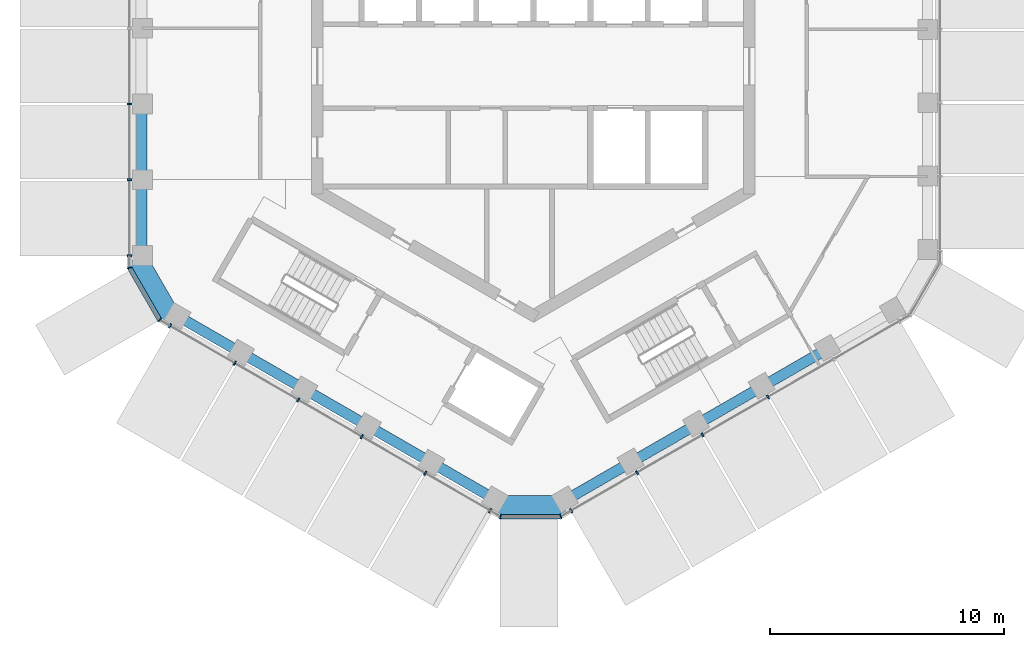
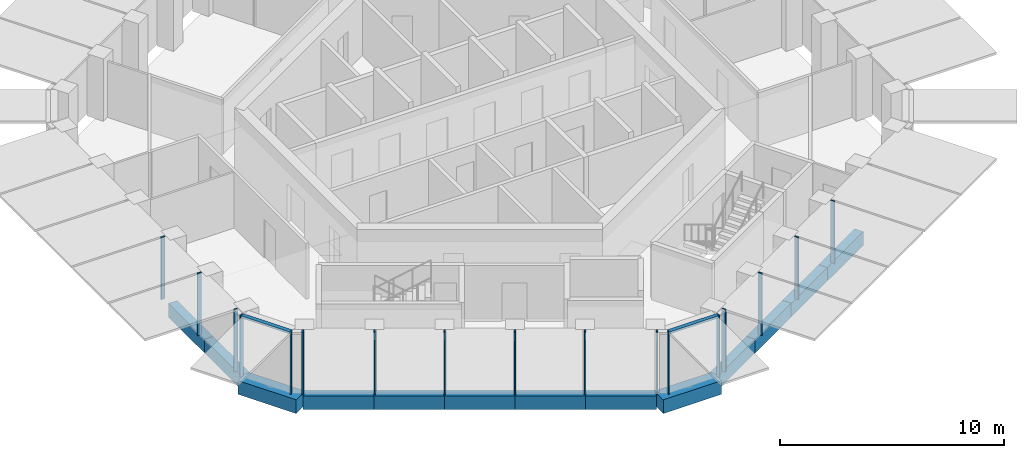
# One storey, part 2 of 17: 19 members, 13 beams, 5 elements without a shape of their own.
"""IFC4 building model written with IfcOpenShell, lengths in metres."""

from ifc_helpers import new_model, si_unit, direction, frame, origin, origin_2d, place, context, subcontext, project, spatial, rectangle, extrude, material, layer, layer_set, material_profile, profile_set, type_object, element, aggregate, save


model = new_model("IFC4")

# Units and contexts
model_context = context("Model", 3, precision=1e-05, world=origin(), true_north=direction((0.0, 1.0)))
body_context = subcontext(model_context, "Body", "Model", "MODEL_VIEW")
ifc_project = project(units=[si_unit("LENGTHUNIT", "METRE"), si_unit("AREAUNIT", "SQUARE_METRE"), si_unit("VOLUMEUNIT", "CUBIC_METRE"), si_unit("PLANEANGLEUNIT", "RADIAN"), si_unit("MASSUNIT", "GRAM", prefix="KILO")], contexts=[model_context])

# Site, building, storey
site_placement = place(None, origin())
site = spatial("IfcSite", under=ifc_project, at=site_placement, CompositionType="ELEMENT")
building_placement = place(site_placement, origin())
building = spatial("IfcBuilding", under=site, at=building_placement, Name="Ayvan Gate Tower", CompositionType="ELEMENT")
storey_placement = place(building_placement, frame((0.0, 0.0, 225.699951171875)))
storey = spatial("IfcBuildingStorey", under=building, at=storey_placement, Name="L60", CompositionType="ELEMENT", Elevation=225.699951171875)

# Beams
ifc_material_1 = material(Name="Concrete C40/50", Category="concrete")
ifc_material_profile_1 = material_profile(ifc_material_1, rectangle(XDim=0.800048828125, YDim=0.75, at=origin_2d()), Name="RC 800x750")
ifc_profile_set_1 = profile_set([ifc_material_profile_1], Name="Concrete C40/50")
beam_type_1 = type_object("IfcBeamType", Name="Corner spandrel beam RC 800x750 C40/50", PredefinedType="BEAM", material=ifc_profile_set_1)
for number, where, z_axis, x_axis, name in (
    (1, (-16.971923828125, -8.189208984375, -0.724853515625), (0.499990139034, -0.866031096941, 0.0), (0.866031096941, 0.499990139034, 0.0), "SB-L60-24"),
    (2, (-1.60595703125, -18.792724609375, -0.724853515625), (1.0, 0.0, 0.0), (0.0, 1.0, 0.0), "SB-L60-30"),
):
    element("IfcBeam", number, at=place(storey_placement, frame(where, z_axis=z_axis, x_axis=x_axis)), inside=storey, type_object=beam_type_1, Name=name, PredefinedType="BEAM", context=body_context, shape_type="SweptSolid", body=[
        extrude(rectangle(XDim=0.800048828125, YDim=0.75, at=origin_2d()), origin(), (0.0, 0.0, 1.0), 3.0),
    ])
ifc_material_profile_2 = material_profile(ifc_material_1, rectangle(XDim=0.449951171875, YDim=0.75, at=origin_2d()), Name="RC 450x750")
ifc_profile_set_2 = profile_set([ifc_material_profile_2], Name="Concrete C40/50")
beam_type_2 = type_object("IfcBeamType", Name="Spandrel beam RC 450x750 C40/50", PredefinedType="BEAM", material=ifc_profile_set_2)
for number, where, z_axis, x_axis, name in (
    (3, (-16.781494140625, -1.61572265625, -0.724853515625), (0.0, -1.0, 0.0), (1.0, 0.0, 0.0), "SB-L60-22"),
    (4, (-16.781494140625, -4.847412109375, -0.724853515625), (0.0, -1.0, 0.0), (1.0, 0.0, 0.0), "SB-L60-23"),
):
    element("IfcBeam", number, at=place(storey_placement, frame(where, z_axis=z_axis, x_axis=x_axis)), inside=storey, type_object=beam_type_2, Name=name, PredefinedType="BEAM", context=body_context, shape_type="SweptSolid", body=[
        extrude(rectangle(XDim=0.449951171875, YDim=0.75, at=origin_2d()), origin(), (0.0, 0.0, 1.0), 3.231689453125),
    ])
for number, where, z_axis, x_axis, name in (
    (5, (-15.281494140625, -10.67724609375, -0.724853515625), (0.866027247007, -0.499996807431, 0.0), (0.499996807431, 0.866027247007, 0.0), "SB-L60-25"),
    (6, (-12.54638671875, -12.25634765625, -0.724853515625), (0.866027247007, -0.499996807431, 0.0), (0.499996807431, 0.866027247007, 0.0), "SB-L60-26"),
    (7, (-9.811279296875, -13.83544921875, -0.724853515625), (0.866027247007, -0.499996807431, 0.0), (0.499996807431, 0.866027247007, 0.0), "SB-L60-27"),
    (8, (-7.076171875, -15.41455078125, -0.724853515625), (0.866027247007, -0.499996807431, 0.0), (0.499996807431, 0.866027247007, 0.0), "SB-L60-28"),
    (9, (-4.341064453125, -16.99365234375, -0.724853515625), (0.866027247007, -0.499996807431, 0.0), (0.499996807431, 0.866027247007, 0.0), "SB-L60-29"),
):
    element("IfcBeam", number, at=place(storey_placement, frame(where, z_axis=z_axis, x_axis=x_axis)), inside=storey, type_object=beam_type_2, Name=name, PredefinedType="BEAM", context=body_context, shape_type="SweptSolid", body=[
        extrude(rectangle(XDim=0.449951171875, YDim=0.75, at=origin_2d()), origin(), (0.0, 0.0, 1.0), 3.158203125),
    ])
beam_1_placement = place(storey_placement, frame((1.39404296875, -18.57275390625, -0.724853515625), z_axis=(0.866030838723, 0.499990586292, 0.0), x_axis=(-0.499990586292, 0.866030838723, 0.0)))
element("IfcBeam", 10, at=beam_1_placement, inside=storey, type_object=beam_type_2, Name="SB-L60-31", PredefinedType="BEAM", context=body_context, shape_type="SweptSolid", body=[
    extrude(rectangle(XDim=0.449951171875, YDim=0.75, at=origin_2d()), origin(), (0.0, 0.0, 1.0), 3.2314453125),
])
beam_2_placement = place(storey_placement, frame((4.192626953125, -16.95703125, -0.724853515625), z_axis=(0.866017012889, 0.500014533175, 0.0), x_axis=(-0.500014533175, 0.866017012889, 0.0)))
element("IfcBeam", 11, at=beam_2_placement, inside=storey, type_object=beam_type_2, Name="SB-L60-32", PredefinedType="BEAM", context=body_context, shape_type="SweptSolid", body=[
    extrude(rectangle(XDim=0.449951171875, YDim=0.75, at=origin_2d()), origin(), (0.0, 0.0, 1.0), 3.23193359375),
])
beam_3_placement = place(storey_placement, frame((6.991455078125, -15.341064453125, -0.724853515625), z_axis=(0.866030838723, 0.499990586292, 0.0), x_axis=(-0.499990586292, 0.866030838723, 0.0)))
element("IfcBeam", 12, at=beam_3_placement, inside=storey, type_object=beam_type_2, Name="SB-L60-33", PredefinedType="BEAM", context=body_context, shape_type="SweptSolid", body=[
    extrude(rectangle(XDim=0.449951171875, YDim=0.75, at=origin_2d()), origin(), (0.0, 0.0, 1.0), 3.2314453125),
])
beam_4_placement = place(storey_placement, frame((9.7900390625, -13.725341796875, -0.724853515625), z_axis=(0.866017012889, 0.500014533175, 0.0), x_axis=(-0.500014533175, 0.866017012889, 0.0)))
element("IfcBeam", 13, at=beam_4_placement, inside=storey, type_object=beam_type_2, Name="SB-L60-34", PredefinedType="BEAM", context=body_context, shape_type="SweptSolid", body=[
    extrude(rectangle(XDim=0.449951171875, YDim=0.75, at=origin_2d()), origin(), (0.0, 0.0, 1.0), 3.23193359375),
])

# Curtain wall, members
ifc_material_2 = material(Name="Bronze anodised aluminium", Category="aluminium")
ifc_layer_1 = layer(ifc_material_2, 0.199951171875)
ifc_layer_set_1 = layer_set([ifc_layer_1], Name="Bronze anodised aluminium")
curtain_wall_type_1 = type_object("IfcCurtainWallType", Name="Stick curtain wall CW-2", PredefinedType="NOTDEFINED", material=ifc_layer_set_1)
curtain_wall_1_placement = place(storey_placement, origin())
curtain_wall_1 = element("IfcCurtainWall", 14, at=curtain_wall_1_placement, inside=storey, type_object=curtain_wall_type_1, Name="Stick curtain wall CW-2 L60", PredefinedType="NOTDEFINED")
ifc_material_profile_3 = material_profile(ifc_material_2, rectangle(XDim=0.199951171875, YDim=0.070068359375, at=origin_2d()), Name="Stick curtain wall CW-2 mullion 200 x 70")
ifc_profile_set_3 = profile_set([ifc_material_profile_3], Name="Bronze anodised aluminium")
member_type_1 = type_object("IfcMemberType", Name="Stick curtain wall CW-2 mullion 200 x 70", PredefinedType="MULLION", material=ifc_profile_set_3)
member_1_placement = place(storey_placement, frame((-17.293701171875, -1.620361328125, 0.0), z_axis=(0.0, 0.0, 1.0), x_axis=(-1.0, 0.0, 0.0)))
member_1 = element("IfcMember", 15, at=member_1_placement, type_object=member_type_1, Name="CW-2 mullion 4", PredefinedType="MULLION", context=body_context, shape_type="SweptSolid", body=[
    extrude(rectangle(XDim=0.199951171875, YDim=0.070068359375, at=origin_2d()), origin(), (0.0, 0.0, 1.0), 3.400146484375),
])
member_2_placement = place(storey_placement, frame((-17.293701171875, -4.8623046875, 0.0), z_axis=(0.0, 0.0, 1.0), x_axis=(-1.0, 0.0, 0.0)))
member_2 = element("IfcMember", 16, at=member_2_placement, type_object=member_type_1, Name="CW-2 mullion 5", PredefinedType="MULLION", context=body_context, shape_type="SweptSolid", body=[
    extrude(rectangle(XDim=0.199951171875, YDim=0.070068359375, at=origin_2d()), origin(), (0.0, 0.0, 1.0), 3.400146484375),
])
member_3_placement = place(storey_placement, frame((-17.293701171875, -8.12060546875, 0.0), z_axis=(0.0, 0.0, 1.0), x_axis=(-1.0, 0.0, 0.0)))
member_3 = element("IfcMember", 17, at=member_3_placement, type_object=member_type_1, Name="CW-2 mullion 6", PredefinedType="MULLION", context=body_context, shape_type="SweptSolid", body=[
    extrude(rectangle(XDim=0.199951171875, YDim=0.070068359375, at=origin_2d()), origin(), (0.0, 0.0, 1.0), 3.400146484375),
])
aggregate(curtain_wall_1, [member_1, member_2, member_3])

curtain_wall_2_placement = place(storey_placement, origin())
curtain_wall_2 = element("IfcCurtainWall", 18, at=curtain_wall_2_placement, inside=storey, type_object=curtain_wall_type_1, Name="Stick curtain wall CW-2 L60", PredefinedType="NOTDEFINED")
member_4_placement = place(storey_placement, frame((-15.560791015625, -11.1220703125, 0.0), z_axis=(0.0, 0.0, 1.0), x_axis=(-0.5, -0.866025403784, 0.0)))
member_4 = element("IfcMember", 19, at=member_4_placement, type_object=member_type_1, Name="CW-2 mullion 1", PredefinedType="MULLION", context=body_context, shape_type="SweptSolid", body=[
    extrude(rectangle(XDim=0.199951171875, YDim=0.070068359375, at=origin_2d()), origin(), (0.0, 0.0, 1.0), 3.400146484375),
])
member_5_placement = place(storey_placement, frame((-12.783447265625, -12.7255859375, 0.0), z_axis=(0.0, 0.0, 1.0), x_axis=(-0.5, -0.866025403784, 0.0)))
member_5 = element("IfcMember", 20, at=member_5_placement, type_object=member_type_1, Name="CW-2 mullion 2", PredefinedType="MULLION", context=body_context, shape_type="SweptSolid", body=[
    extrude(rectangle(XDim=0.199951171875, YDim=0.070068359375, at=origin_2d()), origin(), (0.0, 0.0, 1.0), 3.400146484375),
])
member_6_placement = place(storey_placement, frame((-10.06494140625, -14.295166015625, 0.0), z_axis=(0.0, 0.0, 1.0), x_axis=(-0.5, -0.866025403784, 0.0)))
member_6 = element("IfcMember", 21, at=member_6_placement, type_object=member_type_1, Name="CW-2 mullion 3", PredefinedType="MULLION", context=body_context, shape_type="SweptSolid", body=[
    extrude(rectangle(XDim=0.199951171875, YDim=0.070068359375, at=origin_2d()), origin(), (0.0, 0.0, 1.0), 3.400146484375),
])
member_7_placement = place(storey_placement, frame((-7.347412109375, -15.8642578125, 0.0), z_axis=(0.0, 0.0, 1.0), x_axis=(-0.5, -0.866025403784, 0.0)))
member_7 = element("IfcMember", 22, at=member_7_placement, type_object=member_type_1, Name="CW-2 mullion 4", PredefinedType="MULLION", context=body_context, shape_type="SweptSolid", body=[
    extrude(rectangle(XDim=0.199951171875, YDim=0.070068359375, at=origin_2d()), origin(), (0.0, 0.0, 1.0), 3.400146484375),
])
member_8_placement = place(storey_placement, frame((-4.62890625, -17.43359375, 0.0), z_axis=(0.0, 0.0, 1.0), x_axis=(-0.5, -0.866025403784, 0.0)))
member_8 = element("IfcMember", 23, at=member_8_placement, type_object=member_type_1, Name="CW-2 mullion 5", PredefinedType="MULLION", context=body_context, shape_type="SweptSolid", body=[
    extrude(rectangle(XDim=0.199951171875, YDim=0.070068359375, at=origin_2d()), origin(), (0.0, 0.0, 1.0), 3.400146484375),
])
member_9_placement = place(storey_placement, frame((-1.8515625, -19.037109375, 0.0), z_axis=(0.0, 0.0, 1.0), x_axis=(-0.5, -0.866025403784, 0.0)))
member_9 = element("IfcMember", 24, at=member_9_placement, type_object=member_type_1, Name="CW-2 mullion 6", PredefinedType="MULLION", context=body_context, shape_type="SweptSolid", body=[
    extrude(rectangle(XDim=0.199951171875, YDim=0.070068359375, at=origin_2d()), origin(), (0.0, 0.0, 1.0), 3.400146484375),
])
aggregate(curtain_wall_2, [member_4, member_5, member_6, member_7, member_8, member_9])

curtain_wall_3_placement = place(storey_placement, origin())
curtain_wall_3 = element("IfcCurtainWall", 25, at=curtain_wall_3_placement, inside=storey, type_object=curtain_wall_type_1, Name="Stick curtain wall CW-2 L60", PredefinedType="NOTDEFINED")
member_10_placement = place(storey_placement, frame((1.6142578125, -19.037109375, 0.0), z_axis=(0.0, 0.0, 1.0), x_axis=(0.5, -0.866025403784, 0.0)))
member_10 = element("IfcMember", 26, at=member_10_placement, type_object=member_type_1, Name="CW-2 mullion 1", PredefinedType="MULLION", context=body_context, shape_type="SweptSolid", body=[
    extrude(rectangle(XDim=0.199951171875, YDim=0.070068359375, at=origin_2d()), origin(), (0.0, 0.0, 1.0), 3.400146484375),
])
member_11_placement = place(storey_placement, frame((4.435791015625, -17.408203125, 0.0), z_axis=(0.0, 0.0, 1.0), x_axis=(0.5, -0.866025403784, 0.0)))
member_11 = element("IfcMember", 27, at=member_11_placement, type_object=member_type_1, Name="CW-2 mullion 2", PredefinedType="MULLION", context=body_context, shape_type="SweptSolid", body=[
    extrude(rectangle(XDim=0.199951171875, YDim=0.070068359375, at=origin_2d()), origin(), (0.0, 0.0, 1.0), 3.400146484375),
])
member_12_placement = place(storey_placement, frame((7.243408203125, -15.787109375, 0.0), z_axis=(0.0, 0.0, 1.0), x_axis=(0.5, -0.866025403784, 0.0)))
member_12 = element("IfcMember", 28, at=member_12_placement, type_object=member_type_1, Name="CW-2 mullion 3", PredefinedType="MULLION", context=body_context, shape_type="SweptSolid", body=[
    extrude(rectangle(XDim=0.199951171875, YDim=0.070068359375, at=origin_2d()), origin(), (0.0, 0.0, 1.0), 3.400146484375),
])
member_13_placement = place(storey_placement, frame((10.05029296875, -14.166748046875, 0.0), z_axis=(0.0, 0.0, 1.0), x_axis=(0.5, -0.866025403784, 0.0)))
member_13 = element("IfcMember", 29, at=member_13_placement, type_object=member_type_1, Name="CW-2 mullion 4", PredefinedType="MULLION", context=body_context, shape_type="SweptSolid", body=[
    extrude(rectangle(XDim=0.199951171875, YDim=0.070068359375, at=origin_2d()), origin(), (0.0, 0.0, 1.0), 3.400146484375),
])
aggregate(curtain_wall_3, [member_10, member_11, member_12, member_13])

ifc_layer_2 = layer(ifc_material_2, 0.199951171875)
ifc_layer_set_2 = layer_set([ifc_layer_2], Name="Bronze anodised aluminium")
curtain_wall_type_2 = type_object("IfcCurtainWallType", Name="Stick curtain wall CW-6", PredefinedType="NOTDEFINED", material=ifc_layer_set_2)
curtain_wall_4_placement = place(storey_placement, origin())
curtain_wall_4 = element("IfcCurtainWall", 30, at=curtain_wall_4_placement, inside=storey, type_object=curtain_wall_type_2, Name="Stick curtain wall CW-6 L60", PredefinedType="NOTDEFINED")
ifc_material_profile_4 = material_profile(ifc_material_2, rectangle(XDim=0.199951171875, YDim=0.050048828125, at=origin_2d()), Name="Stick curtain wall CW-6 mullion 200 x 50")
ifc_profile_set_4 = profile_set([ifc_material_profile_4], Name="Bronze anodised aluminium")
member_type_2 = type_object("IfcMemberType", Name="Stick curtain wall CW-6 mullion 200 x 50", PredefinedType="MULLION", material=ifc_profile_set_4)
member_14_placement = place(storey_placement, frame((-17.293701171875, -8.630615234375, 0.0), z_axis=(0.0, 0.0, 1.0), x_axis=(-0.965925826289, -0.258819045103, 0.0)))
member_14 = element("IfcMember", 31, at=member_14_placement, type_object=member_type_2, Name="CW-6 mullion 2", PredefinedType="MULLION", context=body_context, shape_type="SweptSolid", body=[
    extrude(rectangle(XDim=0.199951171875, YDim=0.050048828125, at=origin_2d()), origin(), (0.0, 0.0, 1.0), 3.400146484375),
])
member_15_placement = place(storey_placement, frame((-16.00244140625, -10.8671875, 0.0), z_axis=(0.0, 0.0, 1.0), x_axis=(-0.707106781187, -0.707106781187, 0.0)))
member_15 = element("IfcMember", 32, at=member_15_placement, type_object=member_type_2, Name="CW-6 mullion 3", PredefinedType="MULLION", context=body_context, shape_type="SweptSolid", body=[
    extrude(rectangle(XDim=0.199951171875, YDim=0.050048828125, at=origin_2d()), origin(), (0.0, 0.0, 1.0), 3.400146484375),
])

curtain_wall_5_placement = place(storey_placement, origin())
curtain_wall_5 = element("IfcCurtainWall", 33, at=curtain_wall_5_placement, inside=storey, type_object=curtain_wall_type_2, Name="Stick curtain wall CW-6 L60", PredefinedType="NOTDEFINED")
member_16_placement = place(storey_placement, frame((-1.409912109375, -19.292236328125, 0.0), z_axis=(0.0, 0.0, 1.0), x_axis=(-0.258819045103, -0.965925826289, 0.0)))
member_16 = element("IfcMember", 34, at=member_16_placement, type_object=member_type_2, Name="CW-6 mullion 2", PredefinedType="MULLION", context=body_context, shape_type="SweptSolid", body=[
    extrude(rectangle(XDim=0.199951171875, YDim=0.050048828125, at=origin_2d()), origin(), (0.0, 0.0, 1.0), 3.400146484375),
])
member_17_placement = place(storey_placement, frame((1.172607421875, -19.292236328125, 0.0), z_axis=(0.0, 0.0, 1.0), x_axis=(0.258819045103, -0.965925826289, 0.0)))
member_17 = element("IfcMember", 35, at=member_17_placement, type_object=member_type_2, Name="CW-6 mullion 3", PredefinedType="MULLION", context=body_context, shape_type="SweptSolid", body=[
    extrude(rectangle(XDim=0.199951171875, YDim=0.050048828125, at=origin_2d()), origin(), (0.0, 0.0, 1.0), 3.400146484375),
])

# Member
ifc_material_profile_5 = material_profile(ifc_material_2, rectangle(XDim=0.199951171875, YDim=0.1201171875, at=origin_2d()), Name="Stick curtain wall CW-6 transom 200 x 120")
ifc_profile_set_5 = profile_set([ifc_material_profile_5], Name="Bronze anodised aluminium")
member_type_3 = type_object("IfcMemberType", Name="Stick curtain wall CW-6 transom 200 x 120", PredefinedType="USERDEFINED", material=ifc_profile_set_5)
member_18_placement = place(storey_placement, frame((-17.28125, -8.65234375, 3.340087890625), z_axis=(0.49997559865, -0.866039491452, 0.0), x_axis=(0.866039491452, 0.49997559865, 0.0)))
member_18 = element("IfcMember", 36, at=member_18_placement, type_object=member_type_3, Name="CW-6 transom 2", ObjectType="TRANSOM", PredefinedType="USERDEFINED", context=body_context, shape_type="SweptSolid", body=[
    extrude(rectangle(XDim=0.199951171875, YDim=0.1201171875, at=origin_2d()), origin(), (0.0, 0.0, 1.0), 2.532470703125),
])

aggregate(curtain_wall_4, [member_14, member_15, member_18])

member_19_placement = place(storey_placement, frame((-1.385009765625, -19.292236328125, 3.340087890625), z_axis=(1.0, 0.0, 0.0), x_axis=(0.0, 1.0, 0.0)))
member_19 = element("IfcMember", 37, at=member_19_placement, type_object=member_type_3, Name="CW-6 transom 2", ObjectType="TRANSOM", PredefinedType="USERDEFINED", context=body_context, shape_type="SweptSolid", body=[
    extrude(rectangle(XDim=0.199951171875, YDim=0.1201171875, at=origin_2d()), origin(), (0.0, 0.0, 1.0), 2.53271484375),
])

aggregate(curtain_wall_5, [member_16, member_17, member_19])

save(model, "model.ifc")
